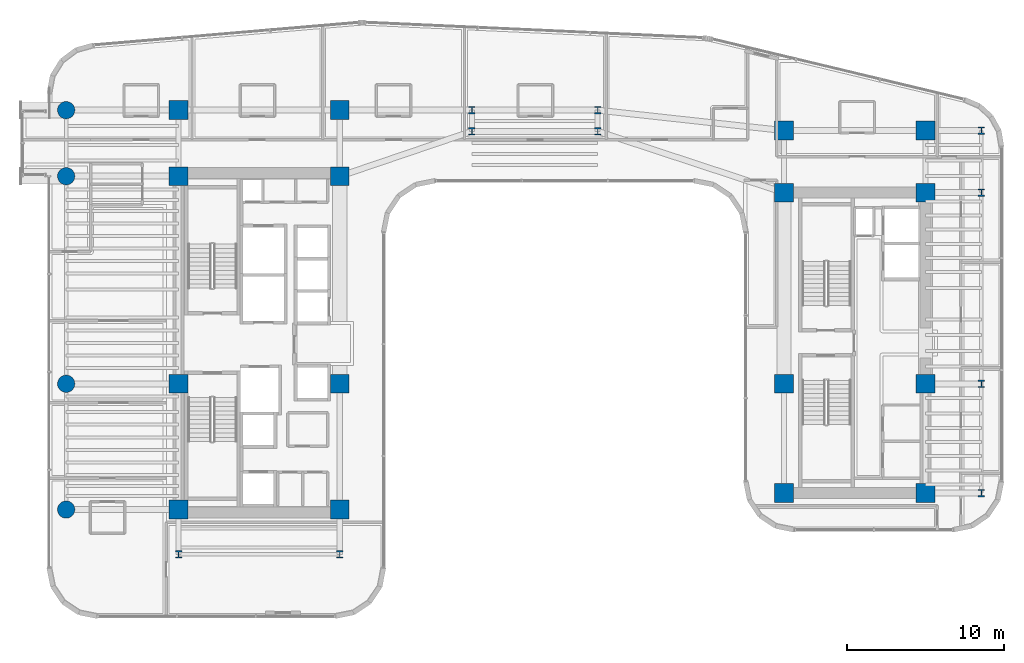
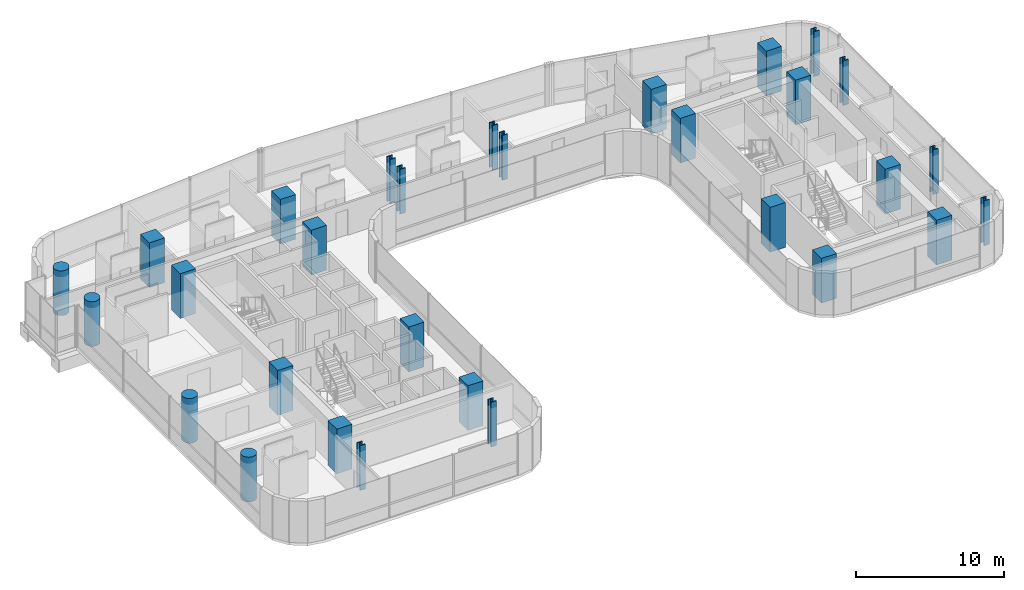
# One storey, part 1 of 35: 30 columns.
"""IFC4 building model written with IfcOpenShell, lengths in metres."""

from ifc_helpers import new_model, si_unit, direction, frame, origin, origin_2d, place, context, subcontext, project, spatial, rectangle, circle, i_section, extrude, source, transform, mapped, material, material_profile, profile_set, type_object, element, save


model = new_model("IFC4")

# Units and contexts
model_context = context("Model", 3, precision=1e-05, world=origin(), true_north=direction((0.0, 1.0)))
body_context = subcontext(model_context, "Body", "Model", "MODEL_VIEW")
ifc_project = project(units=[si_unit("LENGTHUNIT", "METRE"), si_unit("AREAUNIT", "SQUARE_METRE"), si_unit("VOLUMEUNIT", "CUBIC_METRE"), si_unit("PLANEANGLEUNIT", "RADIAN"), si_unit("MASSUNIT", "GRAM", prefix="KILO")], contexts=[model_context])

# Site, building, storey
site_placement = place(None, origin())
site = spatial("IfcSite", under=ifc_project, at=site_placement, CompositionType="ELEMENT")
building_placement = place(site_placement, origin())
building = spatial("IfcBuilding", under=site, at=building_placement, Name="Valdorenza Pilgrim Sanctuary Tower", CompositionType="ELEMENT")
storey_placement = place(building_placement, frame((0.0, 0.0, 116.800048828125)))
storey = spatial("IfcBuildingStorey", under=building, at=storey_placement, Name="L29", CompositionType="ELEMENT", Elevation=116.800048828125)

# Columns
ifc_material_1 = material(Name="Concrete C50/60", Category="concrete")
ifc_material_profile_1 = material_profile(ifc_material_1, circle(Radius=0.550048828125, at=origin_2d()), Name="RC D1100")
ifc_profile_set_1 = profile_set([ifc_material_profile_1], Name="Concrete C50/60")
column_type_1 = type_object("IfcColumnType", Name="COL-RND-1100", PredefinedType="COLUMN", material=ifc_profile_set_1)
shared_shape_1 = source(origin(), body_context, "Body", "SweptSolid", [
    extrude(circle(Radius=0.550048828125, at=origin_2d()), origin(), (0.0, 0.0, 1.0), 3.699951171875),
])
for number, where, z_axis, x_axis, name in (
    (1, (-29.800048828125, -10.60009765625, 0.0), (0.0, 0.0, 1.0), (1.0, 0.0, 0.0), "L29 Perimeter Column WA-W-S1"),
    (2, (-29.800048828125, -2.60009765625, 0.0), (0.0, 0.0, 1.0), (1.0, 0.0, 0.0), "L29 Perimeter Column WA-W-M0"),
    (3, (-29.800048828125, 10.60009765625, 0.0), (0.0, 0.0, 1.0), (1.0, 0.0, 0.0), "L29 Perimeter Column WA-W-N1"),
    (4, (-29.800048828125, 14.800048828125, 0.0), (0.0, 0.0, 1.0), (1.0, 0.0, 0.0), "L29 Perimeter Column WA-W-N2"),
):
    element("IfcColumn", number, at=place(storey_placement, frame(where, z_axis=z_axis, x_axis=x_axis)), inside=storey, type_object=column_type_1, Name=name, PredefinedType="COLUMN", context=body_context, shape_type="MappedRepresentation", body=[
        mapped(shared_shape_1, transform((0.0, 0.0, 0.0), x_axis=(1.0, 0.0, 0.0), y_axis=(0.0, 1.0, 0.0), z_axis=(0.0, 0.0, 1.0), scale=1.0)),
    ])
ifc_material_2 = material(Name="Concrete C60/75", Category="concrete")
ifc_material_profile_2 = material_profile(ifc_material_2, rectangle(XDim=1.199951171875, YDim=1.199951171875, at=origin_2d()), Name="RC 1200x1200")
ifc_profile_set_2 = profile_set([ifc_material_profile_2], Name="Concrete C60/75")
column_type_2 = type_object("IfcColumnType", Name="COL-Z2-1200", PredefinedType="COLUMN", material=ifc_profile_set_2)
shared_shape_2 = source(origin(), body_context, "Body", "SweptSolid", [
    extrude(rectangle(XDim=1.199951171875, YDim=1.199951171875, at=origin_2d()), origin(), (0.0, 0.0, 1.0), 3.699951171875),
])
for number, where, z_axis, x_axis, name in (
    (5, (-22.64990234375, -10.60009765625, 0.0), (0.0, 0.0, 1.0), (1.0, 0.0, 0.0), "L29 Column CA-W-S1"),
    (6, (-12.39990234375, -10.60009765625, 0.0), (0.0, 0.0, 1.0), (1.0, 0.0, 0.0), "L29 Column CA-E-S1"),
    (7, (-22.64990234375, -2.60009765625, 0.0), (0.0, 0.0, 1.0), (1.0, 0.0, 0.0), "L29 Column CA-W-M0"),
    (8, (-12.39990234375, -2.60009765625, 0.0), (0.0, 0.0, 1.0), (1.0, 0.0, 0.0), "L29 Column CA-E-M0"),
    (9, (-22.64990234375, 10.60009765625, 0.0), (0.0, 0.0, 1.0), (1.0, 0.0, 0.0), "L29 Column CA-W-N1"),
    (10, (-12.39990234375, 10.60009765625, 0.0), (0.0, 0.0, 1.0), (1.0, 0.0, 0.0), "L29 Column CA-E-N1"),
    (11, (-22.64990234375, 14.800048828125, 0.0), (0.0, 0.0, 1.0), (1.0, 0.0, 0.0), "L29 Column CA-W-N2"),
    (12, (-12.39990234375, 14.800048828125, 0.0), (0.0, 0.0, 1.0), (1.0, 0.0, 0.0), "L29 Column CA-E-N2"),
    (13, (15.85009765625, -9.550048828125, 0.0), (0.0, 0.0, 1.0), (1.0, 0.0, 0.0), "L29 Column CB-W-S1"),
    (14, (24.85009765625, -9.550048828125, 0.0), (0.0, 0.0, 1.0), (1.0, 0.0, 0.0), "L29 Column CB-E-S1"),
    (15, (15.85009765625, -2.60009765625, 0.0), (0.0, 0.0, 1.0), (1.0, 0.0, 0.0), "L29 Column CB-W-M0"),
    (16, (24.85009765625, -2.60009765625, 0.0), (0.0, 0.0, 1.0), (1.0, 0.0, 0.0), "L29 Column CB-E-M0"),
    (17, (15.85009765625, 9.550048828125, 0.0), (0.0, 0.0, 1.0), (1.0, 0.0, 0.0), "L29 Column CB-W-N1"),
    (18, (24.85009765625, 9.550048828125, 0.0), (0.0, 0.0, 1.0), (1.0, 0.0, 0.0), "L29 Column CB-E-N1"),
    (19, (15.85009765625, 13.5, 0.0), (0.0, 0.0, 1.0), (1.0, 0.0, 0.0), "L29 Column CB-W-N2"),
    (20, (24.85009765625, 13.5, 0.0), (0.0, 0.0, 1.0), (1.0, 0.0, 0.0), "L29 Column CB-E-N2"),
):
    element("IfcColumn", number, at=place(storey_placement, frame(where, z_axis=z_axis, x_axis=x_axis)), inside=storey, type_object=column_type_2, Name=name, PredefinedType="COLUMN", context=body_context, shape_type="MappedRepresentation", body=[
        mapped(shared_shape_2, transform((0.0, 0.0, 0.0), x_axis=(1.0, 0.0, 0.0), y_axis=(0.0, 1.0, 0.0), z_axis=(0.0, 0.0, 1.0), scale=1.0)),
    ])
ifc_material_3 = material(Name="Steel ASTM A992 Grade 50", Category="steel")
ifc_material_profile_3 = material_profile(ifc_material_3, i_section(OverallWidth=0.424072265625, OverallDepth=0.47412109375, WebThickness=0.047607421875, FlangeThickness=0.0771484375, at=origin_2d()), Name="W14X426")
ifc_profile_set_3 = profile_set([ifc_material_profile_3], Name="Steel ASTM A992 Grade 50")
column_type_3 = type_object("IfcColumnType", Name="COL-STL-W426", PredefinedType="COLUMN", material=ifc_profile_set_3)
shared_shape_3 = source(origin(), body_context, "Body", "SweptSolid", [
    extrude(i_section(OverallWidth=0.424072265625, OverallDepth=0.47412109375, WebThickness=0.047607421875, FlangeThickness=0.0771484375, at=origin_2d()), origin(), (0.0, 0.0, 1.0), 3.699951171875),
])
for number, where, z_axis, x_axis, name in (
    (21, (-22.64990234375, -13.449951171875, 0.0), (0.0, 0.0, 1.0), (1.0, 0.0, 0.0), "L29 Column WA-S-W"),
    (22, (-12.39990234375, -13.449951171875, 0.0), (0.0, 0.0, 1.0), (1.0, 0.0, 0.0), "L29 Column WA-S-E"),
    (23, (28.39990234375, -9.550048828125, 0.0), (0.0, 0.0, 1.0), (1.0, 0.0, 0.0), "L29 Perimeter Column WB-E-S1"),
    (24, (28.39990234375, -2.60009765625, 0.0), (0.0, 0.0, 1.0), (1.0, 0.0, 0.0), "L29 Perimeter Column WB-E-M0"),
    (25, (28.39990234375, 9.550048828125, 0.0), (0.0, 0.0, 1.0), (1.0, 0.0, 0.0), "L29 Perimeter Column WB-E-N1"),
    (26, (28.39990234375, 13.5, 0.0), (0.0, 0.0, 1.0), (1.0, 0.0, 0.0), "L29 Perimeter Column WB-E-N2"),
    (27, (-4.0, 13.449951171875, 0.0), (0.0, 0.0, 1.0), (1.0, 0.0, 0.0), "L29 Column KNK-W1"),
    (28, (-4.0, 14.800048828125, 0.0), (0.0, 0.0, 1.0), (1.0, 0.0, 0.0), "L29 Column KNK-W2"),
    (29, (4.0, 13.449951171875, 0.0), (0.0, 0.0, 1.0), (1.0, 0.0, 0.0), "L29 Column KNK-E1"),
    (30, (4.0, 14.800048828125, 0.0), (0.0, 0.0, 1.0), (1.0, 0.0, 0.0), "L29 Column KNK-E2"),
):
    element("IfcColumn", number, at=place(storey_placement, frame(where, z_axis=z_axis, x_axis=x_axis)), inside=storey, type_object=column_type_3, Name=name, PredefinedType="COLUMN", context=body_context, shape_type="MappedRepresentation", body=[
        mapped(shared_shape_3, transform((0.0, 0.0, 0.0), x_axis=(1.0, 0.0, 0.0), y_axis=(0.0, 1.0, 0.0), z_axis=(0.0, 0.0, 1.0), scale=1.0)),
    ])

save(model, "model.ifc")
